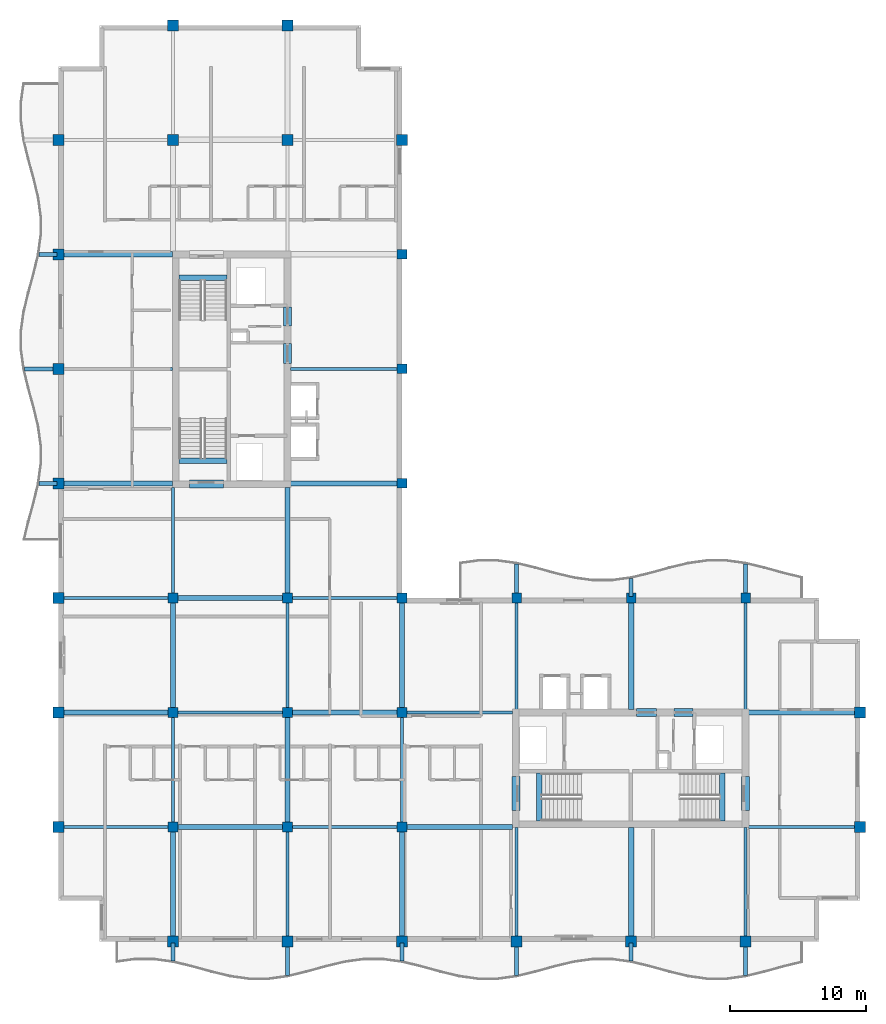
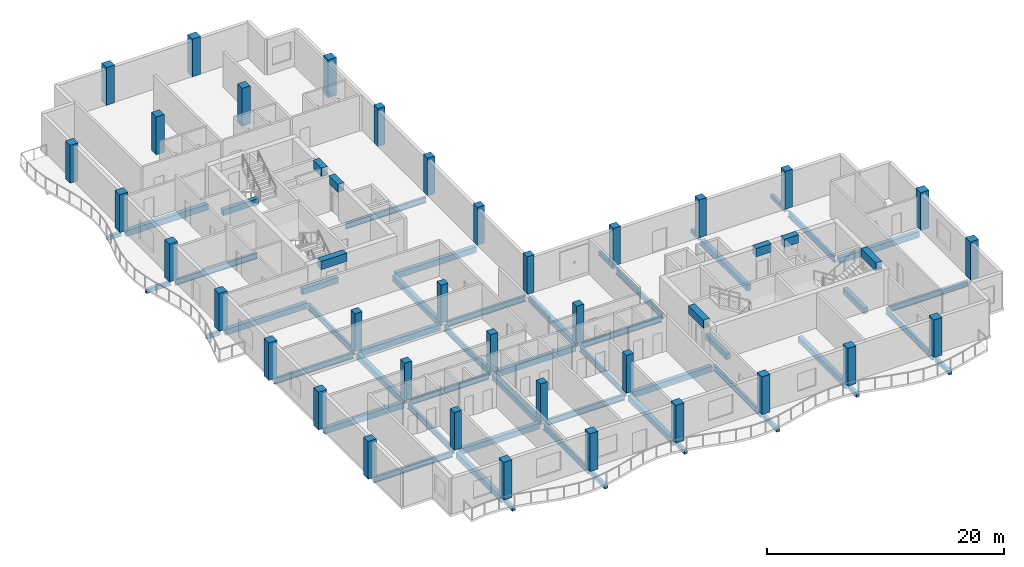
# One storey, part 1 of 12: 58 beams, 35 columns.
"""IFC4 building model written with IfcOpenShell, lengths in metres."""

from ifc_helpers import new_model, si_unit, direction, frame, origin, origin_2d, place, context, subcontext, project, spatial, rectangle, i_section, extrude, material, material_profile, profile_set, type_object, element, save


model = new_model("IFC4")

# Units and contexts
model_context = context("Model", 3, precision=1e-05, world=origin(), true_north=direction((0.0, 1.0)))
body_context = subcontext(model_context, "Body", "Model", "MODEL_VIEW")
ifc_project = project(units=[si_unit("LENGTHUNIT", "METRE"), si_unit("AREAUNIT", "SQUARE_METRE"), si_unit("VOLUMEUNIT", "CUBIC_METRE"), si_unit("PLANEANGLEUNIT", "RADIAN"), si_unit("MASSUNIT", "GRAM", prefix="KILO")], contexts=[model_context])

# Site, building, storey
site_placement = place(None, origin())
site = spatial("IfcSite", under=ifc_project, at=site_placement, CompositionType="ELEMENT")
building_placement = place(site_placement, origin())
building = spatial("IfcBuilding", under=site, at=building_placement, Name="Koriwani Terraces Tower", CompositionType="ELEMENT")
storey_placement = place(building_placement, frame((0.0, 0.0, 351.5)))
storey = spatial("IfcBuildingStorey", under=building, at=storey_placement, Name="L87", CompositionType="ELEMENT", Elevation=351.5)

# Columns
ifc_material_1 = material(Name="Concrete C50/60", Category="concrete")
ifc_material_profile_1 = material_profile(ifc_material_1, rectangle(XDim=0.699951171875, YDim=0.699951171875, at=origin_2d()), Name="Concrete C50/60", Category="LoadBearing")
ifc_profile_set_1 = profile_set([ifc_material_profile_1], Name="Concrete C50/60")
column_type_1 = type_object("IfcColumnType", Name="COL_RC_700X700", PredefinedType="COLUMN", material=ifc_profile_set_1)
for number, where, z_axis, x_axis, name in (
    (1, (16.800048828125, 16.800048828125, 0.0), (0.0, 0.0, 1.0), (1.0, 0.0, 0.0), "L87 Column 3/C"),
    (2, (16.800048828125, 25.199951171875, 0.0), (0.0, 0.0, 1.0), (1.0, 0.0, 0.0), "L87 Column 3/D"),
    (3, (16.800048828125, 33.60009765625, 0.0), (0.0, 0.0, 1.0), (1.0, 0.0, 0.0), "L87 Column 3/E"),
    (4, (25.199951171875, 16.800048828125, 0.0), (0.0, 0.0, 1.0), (1.0, 0.0, 0.0), "L87 Column 4/C"),
    (5, (25.199951171875, 25.199951171875, 0.0), (0.0, 0.0, 1.0), (1.0, 0.0, 0.0), "L87 Column 4/D"),
    (6, (25.199951171875, 33.60009765625, 0.0), (0.0, 0.0, 1.0), (1.0, 0.0, 0.0), "L87 Column 4/E"),
    (7, (33.60009765625, 16.800048828125, 0.0), (0.0, 0.0, 1.0), (1.0, 0.0, 0.0), "L87 Column 5/C"),
    (8, (33.60009765625, 25.199951171875, 0.0), (0.0, 0.0, 1.0), (1.0, 0.0, 0.0), "L87 Column 5/D"),
    (9, (33.60009765625, 33.60009765625, 0.0), (0.0, 0.0, 1.0), (1.0, 0.0, 0.0), "L87 Column 5/E"),
    (10, (33.60009765625, 42.0, 0.0), (0.0, 0.0, 1.0), (1.0, 0.0, 0.0), "L87 Column 5/F"),
    (11, (33.60009765625, 50.39990234375, 0.0), (0.0, 0.0, 1.0), (1.0, 0.0, 0.0), "L87 Column 5/G"),
    (12, (33.60009765625, 58.800048828125, 0.0), (0.0, 0.0, 1.0), (1.0, 0.0, 0.0), "L87 Column 5/H"),
    (13, (42.0, 33.60009765625, 0.0), (0.0, 0.0, 1.0), (1.0, 0.0, 0.0), "L87 Column 6/E"),
    (14, (50.39990234375, 33.60009765625, 0.0), (0.0, 0.0, 1.0), (1.0, 0.0, 0.0), "L87 Column 7/E"),
    (15, (58.800048828125, 33.60009765625, 0.0), (0.0, 0.0, 1.0), (1.0, 0.0, 0.0), "L87 Column 8/E"),
):
    element("IfcColumn", number, at=place(storey_placement, frame(where, z_axis=z_axis, x_axis=x_axis)), inside=storey, type_object=column_type_1, Name=name, PredefinedType="COLUMN", context=body_context, shape_type="SweptSolid", body=[
        extrude(rectangle(XDim=0.699951171875, YDim=0.699951171875, at=origin_2d()), origin(), (0.0, 0.0, 1.0), 3.89990234375),
    ])
ifc_material_profile_2 = material_profile(ifc_material_1, rectangle(XDim=0.800048828125, YDim=0.800048828125, at=origin_2d()), Name="Concrete C50/60", Category="LoadBearing")
ifc_profile_set_2 = profile_set([ifc_material_profile_2], Name="Concrete C50/60")
column_type_2 = type_object("IfcColumnType", Name="COL_RC_800X800", PredefinedType="COLUMN", material=ifc_profile_set_2)
for number, where, z_axis, x_axis, name in (
    (16, (8.39990234375, 16.800048828125, 0.0), (0.0, 0.0, 1.0), (1.0, 0.0, 0.0), "L87 Column 2/C"),
    (17, (8.39990234375, 25.199951171875, 0.0), (0.0, 0.0, 1.0), (1.0, 0.0, 0.0), "L87 Column 2/D"),
    (18, (8.39990234375, 33.60009765625, 0.0), (0.0, 0.0, 1.0), (1.0, 0.0, 0.0), "L87 Column 2/E"),
    (19, (8.39990234375, 42.0, 0.0), (0.0, 0.0, 1.0), (1.0, 0.0, 0.0), "L87 Column 2/F"),
    (20, (8.39990234375, 50.39990234375, 0.0), (0.0, 0.0, 1.0), (1.0, 0.0, 0.0), "L87 Column 2/G"),
    (21, (8.39990234375, 58.800048828125, 0.0), (0.0, 0.0, 1.0), (1.0, 0.0, 0.0), "L87 Column 2/H"),
    (22, (8.39990234375, 67.199951171875, 0.0), (0.0, 0.0, 1.0), (1.0, 0.0, 0.0), "L87 Column 2/I"),
    (23, (16.800048828125, 8.39990234375, 0.0), (0.0, 0.0, 1.0), (1.0, 0.0, 0.0), "L87 Column 3/B"),
    (24, (16.800048828125, 67.199951171875, 0.0), (0.0, 0.0, 1.0), (1.0, 0.0, 0.0), "L87 Column 3/I"),
    (25, (16.800048828125, 75.60009765625, 0.0), (0.0, 0.0, 1.0), (1.0, 0.0, 0.0), "L87 Column 3/J"),
    (26, (25.199951171875, 8.39990234375, 0.0), (0.0, 0.0, 1.0), (1.0, 0.0, 0.0), "L87 Column 4/B"),
    (27, (25.199951171875, 67.199951171875, 0.0), (0.0, 0.0, 1.0), (1.0, 0.0, 0.0), "L87 Column 4/I"),
    (28, (25.199951171875, 75.60009765625, 0.0), (0.0, 0.0, 1.0), (1.0, 0.0, 0.0), "L87 Column 4/J"),
    (29, (33.60009765625, 8.39990234375, 0.0), (0.0, 0.0, 1.0), (1.0, 0.0, 0.0), "L87 Column 5/B"),
    (30, (33.60009765625, 67.199951171875, 0.0), (0.0, 0.0, 1.0), (1.0, 0.0, 0.0), "L87 Column 5/I"),
    (31, (42.0, 8.39990234375, 0.0), (0.0, 0.0, 1.0), (1.0, 0.0, 0.0), "L87 Column 6/B"),
    (32, (50.39990234375, 8.39990234375, 0.0), (0.0, 0.0, 1.0), (1.0, 0.0, 0.0), "L87 Column 7/B"),
    (33, (58.800048828125, 8.39990234375, 0.0), (0.0, 0.0, 1.0), (1.0, 0.0, 0.0), "L87 Column 8/B"),
    (34, (67.199951171875, 16.800048828125, 0.0), (0.0, 0.0, 1.0), (1.0, 0.0, 0.0), "L87 Column 9/C"),
    (35, (67.199951171875, 25.199951171875, 0.0), (0.0, 0.0, 1.0), (1.0, 0.0, 0.0), "L87 Column 9/D"),
):
    element("IfcColumn", number, at=place(storey_placement, frame(where, z_axis=z_axis, x_axis=x_axis)), inside=storey, type_object=column_type_2, Name=name, PredefinedType="COLUMN", context=body_context, shape_type="SweptSolid", body=[
        extrude(rectangle(XDim=0.800048828125, YDim=0.800048828125, at=origin_2d()), origin(), (0.0, 0.0, 1.0), 3.89990234375),
    ])

# Beams
ifc_material_2 = material(Name="Concrete C40/50", Category="concrete")
ifc_material_profile_3 = material_profile(ifc_material_2, rectangle(XDim=0.300048828125, YDim=0.39990234375, at=origin_2d()), Name="Concrete C40/50", Category="LoadBearing")
ifc_profile_set_3 = profile_set([ifc_material_profile_3], Name="Concrete C40/50")
beam_type_1 = type_object("IfcBeamType", Name="BEAM_RC_BALCONY_RIB_300X400", PredefinedType="JOIST", material=ifc_profile_set_3)
beam_1_placement = place(storey_placement, frame((16.800048828125, 6.980224609375, -0.429931640625), z_axis=(0.0, 1.0, 0.0), x_axis=(-1.0, 0.0, 0.0)))
element("IfcBeam", 36, at=beam_1_placement, inside=storey, type_object=beam_type_1, Name="L87 Balcony Bracket Rib S-1", PredefinedType="JOIST", context=body_context, shape_type="SweptSolid", body=[
    extrude(rectangle(XDim=0.300048828125, YDim=0.39990234375, at=origin_2d()), origin(), (0.0, 0.0, 1.0), 1.31982421875),
])
beam_2_placement = place(storey_placement, frame((25.199951171875, 5.919677734375, -0.429931640625), z_axis=(0.0, 1.0, 0.0), x_axis=(-1.0, 0.0, 0.0)))
element("IfcBeam", 37, at=beam_2_placement, inside=storey, type_object=beam_type_1, Name="L87 Balcony Bracket Rib S-2", PredefinedType="JOIST", context=body_context, shape_type="SweptSolid", body=[
    extrude(rectangle(XDim=0.300048828125, YDim=0.39990234375, at=origin_2d()), origin(), (0.0, 0.0, 1.0), 2.38037109375),
])
beam_3_placement = place(storey_placement, frame((33.60009765625, 6.980224609375, -0.429931640625), z_axis=(0.0, 1.0, 0.0), x_axis=(-1.0, 0.0, 0.0)))
element("IfcBeam", 38, at=beam_3_placement, inside=storey, type_object=beam_type_1, Name="L87 Balcony Bracket Rib S-3", PredefinedType="JOIST", context=body_context, shape_type="SweptSolid", body=[
    extrude(rectangle(XDim=0.300048828125, YDim=0.39990234375, at=origin_2d()), origin(), (0.0, 0.0, 1.0), 1.31982421875),
])
beam_4_placement = place(storey_placement, frame((42.0, 5.919677734375, -0.429931640625), z_axis=(0.0, 1.0, 0.0), x_axis=(-1.0, 0.0, 0.0)))
element("IfcBeam", 39, at=beam_4_placement, inside=storey, type_object=beam_type_1, Name="L87 Balcony Bracket Rib S-4", PredefinedType="JOIST", context=body_context, shape_type="SweptSolid", body=[
    extrude(rectangle(XDim=0.300048828125, YDim=0.39990234375, at=origin_2d()), origin(), (0.0, 0.0, 1.0), 2.38037109375),
])
beam_5_placement = place(storey_placement, frame((50.39990234375, 6.980224609375, -0.429931640625), z_axis=(0.0, 1.0, 0.0), x_axis=(-1.0, 0.0, 0.0)))
element("IfcBeam", 40, at=beam_5_placement, inside=storey, type_object=beam_type_1, Name="L87 Balcony Bracket Rib S-5", PredefinedType="JOIST", context=body_context, shape_type="SweptSolid", body=[
    extrude(rectangle(XDim=0.300048828125, YDim=0.39990234375, at=origin_2d()), origin(), (0.0, 0.0, 1.0), 1.31982421875),
])
beam_6_placement = place(storey_placement, frame((58.800048828125, 5.919677734375, -0.429931640625), z_axis=(0.0, 1.0, 0.0), x_axis=(-1.0, 0.0, 0.0)))
element("IfcBeam", 41, at=beam_6_placement, inside=storey, type_object=beam_type_1, Name="L87 Balcony Bracket Rib S-6", PredefinedType="JOIST", context=body_context, shape_type="SweptSolid", body=[
    extrude(rectangle(XDim=0.300048828125, YDim=0.39990234375, at=origin_2d()), origin(), (0.0, 0.0, 1.0), 2.38037109375),
])
beam_7_placement = place(storey_placement, frame((6.980224609375, 42.0, -0.429931640625), z_axis=(1.0, 0.0, 0.0), x_axis=(0.0, 1.0, 0.0)))
element("IfcBeam", 42, at=beam_7_placement, inside=storey, type_object=beam_type_1, Name="L87 Balcony Bracket Rib W-1", PredefinedType="JOIST", context=body_context, shape_type="SweptSolid", body=[
    extrude(rectangle(XDim=0.300048828125, YDim=0.39990234375, at=origin_2d()), origin(), (0.0, 0.0, 1.0), 1.31982421875),
])
beam_8_placement = place(storey_placement, frame((5.919677734375, 50.39990234375, -0.429931640625), z_axis=(1.0, 0.0, 0.0), x_axis=(0.0, 1.0, 0.0)))
element("IfcBeam", 43, at=beam_8_placement, inside=storey, type_object=beam_type_1, Name="L87 Balcony Bracket Rib W-2", PredefinedType="JOIST", context=body_context, shape_type="SweptSolid", body=[
    extrude(rectangle(XDim=0.300048828125, YDim=0.39990234375, at=origin_2d()), origin(), (0.0, 0.0, 1.0), 2.38037109375),
])
beam_9_placement = place(storey_placement, frame((6.980224609375, 58.800048828125, -0.429931640625), z_axis=(1.0, 0.0, 0.0), x_axis=(0.0, 1.0, 0.0)))
element("IfcBeam", 44, at=beam_9_placement, inside=storey, type_object=beam_type_1, Name="L87 Balcony Bracket Rib W-3", PredefinedType="JOIST", context=body_context, shape_type="SweptSolid", body=[
    extrude(rectangle(XDim=0.300048828125, YDim=0.39990234375, at=origin_2d()), origin(), (0.0, 0.0, 1.0), 1.31982421875),
])
beam_10_placement = place(storey_placement, frame((42.0, 33.699951171875, -0.429931640625), z_axis=(0.0, 1.0, 0.0), x_axis=(-1.0, 0.0, 0.0)))
element("IfcBeam", 45, at=beam_10_placement, inside=storey, type_object=beam_type_1, Name="L87 Balcony Bracket Rib NE-1", PredefinedType="JOIST", context=body_context, shape_type="SweptSolid", body=[
    extrude(rectangle(XDim=0.300048828125, YDim=0.39990234375, at=origin_2d()), origin(), (0.0, 0.0, 1.0), 2.38037109375),
])
beam_11_placement = place(storey_placement, frame((50.39990234375, 33.699951171875, -0.429931640625), z_axis=(0.0, 1.0, 0.0), x_axis=(-1.0, 0.0, 0.0)))
element("IfcBeam", 46, at=beam_11_placement, inside=storey, type_object=beam_type_1, Name="L87 Balcony Bracket Rib NE-2", PredefinedType="JOIST", context=body_context, shape_type="SweptSolid", body=[
    extrude(rectangle(XDim=0.300048828125, YDim=0.39990234375, at=origin_2d()), origin(), (0.0, 0.0, 1.0), 1.31982421875),
])
beam_12_placement = place(storey_placement, frame((58.800048828125, 33.699951171875, -0.429931640625), z_axis=(0.0, 1.0, 0.0), x_axis=(-1.0, 0.0, 0.0)))
element("IfcBeam", 47, at=beam_12_placement, inside=storey, type_object=beam_type_1, Name="L87 Balcony Bracket Rib NE-3", PredefinedType="JOIST", context=body_context, shape_type="SweptSolid", body=[
    extrude(rectangle(XDim=0.300048828125, YDim=0.39990234375, at=origin_2d()), origin(), (0.0, 0.0, 1.0), 2.38037109375),
])
ifc_material_profile_4 = material_profile(ifc_material_1, rectangle(XDim=0.60009765625, YDim=0.85009765625, at=origin_2d()), Name="Concrete C50/60", Category="LoadBearing")
ifc_profile_set_4 = profile_set([ifc_material_profile_4], Name="Concrete C50/60")
beam_type_2 = type_object("IfcBeamType", Name="BEAM_RC_COUPLING_600X850", PredefinedType="LINTEL", material=ifc_profile_set_4)
beam_13_placement = place(storey_placement, frame((25.199951171875, 50.800048828125, 3.2451171875), z_axis=(0.0, 1.0, 0.0), x_axis=(-1.0, 0.0, 0.0)))
element("IfcBeam", 48, at=beam_13_placement, inside=storey, type_object=beam_type_2, Name="L87 Core Coupling Lintel Beam WE1", PredefinedType="LINTEL", context=body_context, shape_type="SweptSolid", body=[
    extrude(rectangle(XDim=0.60009765625, YDim=0.85009765625, at=origin_2d()), origin(), (0.0, 0.0, 1.0), 1.47998046875),
])
beam_14_placement = place(storey_placement, frame((25.199951171875, 53.550048828125, 3.2451171875), z_axis=(0.0, 1.0, 0.0), x_axis=(-1.0, 0.0, 0.0)))
element("IfcBeam", 49, at=beam_14_placement, inside=storey, type_object=beam_type_2, Name="L87 Core Coupling Lintel Beam WE2", PredefinedType="LINTEL", context=body_context, shape_type="SweptSolid", body=[
    extrude(rectangle(XDim=0.60009765625, YDim=0.85009765625, at=origin_2d()), origin(), (0.0, 0.0, 1.0), 1.39990234375),
])
beam_15_placement = place(storey_placement, frame((18.0, 41.949951171875, 3.2451171875), z_axis=(1.0, 0.0, 0.0), x_axis=(0.0, 1.0, 0.0)))
element("IfcBeam", 50, at=beam_15_placement, inside=storey, type_object=beam_type_2, Name="L87 Core Coupling Lintel Beam WS", PredefinedType="LINTEL", context=body_context, shape_type="SweptSolid", body=[
    extrude(rectangle(XDim=0.60009765625, YDim=0.85009765625, at=origin_2d()), origin(), (0.0, 0.0, 1.0), 2.5),
])
beam_16_placement = place(storey_placement, frame((50.800048828125, 25.199951171875, 3.2451171875), z_axis=(1.0, 0.0, 0.0), x_axis=(0.0, 1.0, 0.0)))
element("IfcBeam", 51, at=beam_16_placement, inside=storey, type_object=beam_type_2, Name="L87 Core Coupling Lintel Beam EN1", PredefinedType="LINTEL", context=body_context, shape_type="SweptSolid", body=[
    extrude(rectangle(XDim=0.60009765625, YDim=0.85009765625, at=origin_2d()), origin(), (0.0, 0.0, 1.0), 1.47998046875),
])
beam_17_placement = place(storey_placement, frame((53.550048828125, 25.199951171875, 3.2451171875), z_axis=(1.0, 0.0, 0.0), x_axis=(0.0, 1.0, 0.0)))
element("IfcBeam", 52, at=beam_17_placement, inside=storey, type_object=beam_type_2, Name="L87 Core Coupling Lintel Beam EN2", PredefinedType="LINTEL", context=body_context, shape_type="SweptSolid", body=[
    extrude(rectangle(XDim=0.60009765625, YDim=0.85009765625, at=origin_2d()), origin(), (0.0, 0.0, 1.0), 1.39990234375),
])
for number, where, z_axis, x_axis, name in (
    (53, (41.949951171875, 18.0, 3.2451171875), (0.0, 1.0, 0.0), (-1.0, 0.0, 0.0), "L87 Core Coupling Lintel Beam EW"),
    (54, (58.800048828125, 18.0, 3.2451171875), (0.0, 1.0, 0.0), (-1.0, 0.0, 0.0), "L87 Core Coupling Lintel Beam EE"),
):
    element("IfcBeam", number, at=place(storey_placement, frame(where, z_axis=z_axis, x_axis=x_axis)), inside=storey, type_object=beam_type_2, Name=name, PredefinedType="LINTEL", context=body_context, shape_type="SweptSolid", body=[
        extrude(rectangle(XDim=0.60009765625, YDim=0.85009765625, at=origin_2d()), origin(), (0.0, 0.0, 1.0), 2.5),
    ])
ifc_material_profile_5 = material_profile(ifc_material_2, rectangle(XDim=0.39990234375, YDim=0.60009765625, at=origin_2d()), Name="Concrete C40/50", Category="LoadBearing")
ifc_profile_set_5 = profile_set([ifc_material_profile_5], Name="Concrete C40/50")
beam_type_3 = type_object("IfcBeamType", Name="BEAM_RC_GRID_400X600", PredefinedType="BEAM", material=ifc_profile_set_5)
for number, where, z_axis, x_axis, name in (
    (55, (17.25, 43.655029296875, -0.300048828125), (1.0, 0.0, 0.0), (0.0, 1.0, 0.0), "L87 Stairwell Header Trimmer Beam ST-W1"),
    (56, (17.25, 57.094970703125, -0.300048828125), (1.0, 0.0, 0.0), (0.0, 1.0, 0.0), "L87 Stairwell Header Trimmer Beam ST-W2"),
    (57, (43.655029296875, 17.25, -0.300048828125), (0.0, 1.0, 0.0), (-1.0, 0.0, 0.0), "L87 Stairwell Header Trimmer Beam ST-E1"),
    (58, (57.094970703125, 17.25, -0.300048828125), (0.0, 1.0, 0.0), (-1.0, 0.0, 0.0), "L87 Stairwell Header Trimmer Beam ST-E2"),
):
    element("IfcBeam", number, at=place(storey_placement, frame(where, z_axis=z_axis, x_axis=x_axis)), inside=storey, type_object=beam_type_3, Name=name, PredefinedType="BEAM", context=body_context, shape_type="SweptSolid", body=[
        extrude(rectangle(XDim=0.39990234375, YDim=0.60009765625, at=origin_2d()), origin(), (0.0, 0.0, 1.0), 3.5),
    ])
beam_18_placement = place(storey_placement, frame((17.1298828125, 16.800048828125, -0.530029296875), z_axis=(1.0, 0.0, 0.0), x_axis=(0.0, 1.0, 0.0)))
element("IfcBeam", 59, at=beam_18_placement, inside=storey, type_object=beam_type_3, Name="L87 Grid Beam C (16.8-25.2m)", PredefinedType="BEAM", context=body_context, shape_type="SweptSolid", body=[
    extrude(rectangle(XDim=0.39990234375, YDim=0.60009765625, at=origin_2d()), origin(), (0.0, 0.0, 1.0), 7.740234375),
])
beam_19_placement = place(storey_placement, frame((33.929931640625, 16.800048828125, -0.530029296875), z_axis=(1.0, 0.0, 0.0), x_axis=(0.0, 1.0, 0.0)))
element("IfcBeam", 60, at=beam_19_placement, inside=storey, type_object=beam_type_3, Name="L87 Grid Beam C (33.6-42.0m)", PredefinedType="BEAM", context=body_context, shape_type="SweptSolid", body=[
    extrude(rectangle(XDim=0.39990234375, YDim=0.60009765625, at=origin_2d()), origin(), (0.0, 0.0, 1.0), 7.7900390625),
])
beam_20_placement = place(storey_placement, frame((8.780029296875, 25.199951171875, -0.530029296875), z_axis=(1.0, 0.0, 0.0), x_axis=(0.0, 1.0, 0.0)))
element("IfcBeam", 61, at=beam_20_placement, inside=storey, type_object=beam_type_3, Name="L87 Grid Beam D (8.4-16.8m)", PredefinedType="BEAM", context=body_context, shape_type="SweptSolid", body=[
    extrude(rectangle(XDim=0.39990234375, YDim=0.60009765625, at=origin_2d()), origin(), (0.0, 0.0, 1.0), 7.68994140625),
])
beam_21_placement = place(storey_placement, frame((25.530029296875, 25.199951171875, -0.530029296875), z_axis=(1.0, 0.0, 0.0), x_axis=(0.0, 1.0, 0.0)))
element("IfcBeam", 62, at=beam_21_placement, inside=storey, type_object=beam_type_3, Name="L87 Grid Beam D (25.2-33.6m)", PredefinedType="BEAM", context=body_context, shape_type="SweptSolid", body=[
    extrude(rectangle(XDim=0.39990234375, YDim=0.60009765625, at=origin_2d()), origin(), (0.0, 0.0, 1.0), 7.739990234375),
])
beam_22_placement = place(storey_placement, frame((59.030029296875, 25.199951171875, -0.530029296875), z_axis=(1.0, 0.0, 0.0), x_axis=(0.0, 1.0, 0.0)))
element("IfcBeam", 63, at=beam_22_placement, inside=storey, type_object=beam_type_3, Name="L87 Grid Beam D (58.8-67.2m)", PredefinedType="BEAM", context=body_context, shape_type="SweptSolid", body=[
    extrude(rectangle(XDim=0.39990234375, YDim=0.60009765625, at=origin_2d()), origin(), (0.0, 0.0, 1.0), 7.7900390625),
])
beam_23_placement = place(storey_placement, frame((17.1298828125, 33.60009765625, -0.530029296875), z_axis=(1.0, 0.0, 0.0), x_axis=(0.0, 1.0, 0.0)))
element("IfcBeam", 64, at=beam_23_placement, inside=storey, type_object=beam_type_3, Name="L87 Grid Beam E (16.8-25.2m)", PredefinedType="BEAM", context=body_context, shape_type="SweptSolid", body=[
    extrude(rectangle(XDim=0.39990234375, YDim=0.60009765625, at=origin_2d()), origin(), (0.0, 0.0, 1.0), 7.740234375),
])
beam_24_placement = place(storey_placement, frame((8.780029296875, 42.0, -0.530029296875), z_axis=(1.0, 0.0, 0.0), x_axis=(0.0, 1.0, 0.0)))
element("IfcBeam", 65, at=beam_24_placement, inside=storey, type_object=beam_type_3, Name="L87 Grid Beam F (8.4-16.8m)", PredefinedType="BEAM", context=body_context, shape_type="SweptSolid", body=[
    extrude(rectangle(XDim=0.39990234375, YDim=0.60009765625, at=origin_2d()), origin(), (0.0, 0.0, 1.0), 7.989990234375),
])
beam_25_placement = place(storey_placement, frame((25.429931640625, 42.0, -0.530029296875), z_axis=(1.0, 0.0, 0.0), x_axis=(0.0, 1.0, 0.0)))
element("IfcBeam", 66, at=beam_25_placement, inside=storey, type_object=beam_type_3, Name="L87 Grid Beam F (25.2-33.6m)", PredefinedType="BEAM", context=body_context, shape_type="SweptSolid", body=[
    extrude(rectangle(XDim=0.39990234375, YDim=0.60009765625, at=origin_2d()), origin(), (0.0, 0.0, 1.0), 7.840087890625),
])
beam_26_placement = place(storey_placement, frame((8.780029296875, 58.800048828125, -0.530029296875), z_axis=(1.0, 0.0, 0.0), x_axis=(0.0, 1.0, 0.0)))
element("IfcBeam", 67, at=beam_26_placement, inside=storey, type_object=beam_type_3, Name="L87 Grid Beam H (8.4-16.8m)", PredefinedType="BEAM", context=body_context, shape_type="SweptSolid", body=[
    extrude(rectangle(XDim=0.39990234375, YDim=0.60009765625, at=origin_2d()), origin(), (0.0, 0.0, 1.0), 7.989990234375),
])
beam_27_placement = place(storey_placement, frame((16.800048828125, 8.780029296875, -0.530029296875), z_axis=(0.0, 1.0, 0.0), x_axis=(-1.0, 0.0, 0.0)))
element("IfcBeam", 68, at=beam_27_placement, inside=storey, type_object=beam_type_3, Name="L87 Grid Beam 3 (8.4-16.8m)", PredefinedType="BEAM", context=body_context, shape_type="SweptSolid", body=[
    extrude(rectangle(XDim=0.39990234375, YDim=0.60009765625, at=origin_2d()), origin(), (0.0, 0.0, 1.0), 7.68994140625),
])
beam_28_placement = place(storey_placement, frame((16.800048828125, 25.530029296875, -0.530029296875), z_axis=(0.0, 1.0, 0.0), x_axis=(-1.0, 0.0, 0.0)))
element("IfcBeam", 69, at=beam_28_placement, inside=storey, type_object=beam_type_3, Name="L87 Grid Beam 3 (25.2-33.6m)", PredefinedType="BEAM", context=body_context, shape_type="SweptSolid", body=[
    extrude(rectangle(XDim=0.39990234375, YDim=0.60009765625, at=origin_2d()), origin(), (0.0, 0.0, 1.0), 7.739990234375),
])
beam_29_placement = place(storey_placement, frame((25.199951171875, 17.1298828125, -0.530029296875), z_axis=(0.0, 1.0, 0.0), x_axis=(-1.0, 0.0, 0.0)))
element("IfcBeam", 70, at=beam_29_placement, inside=storey, type_object=beam_type_3, Name="L87 Grid Beam 4 (16.8-25.2m)", PredefinedType="BEAM", context=body_context, shape_type="SweptSolid", body=[
    extrude(rectangle(XDim=0.39990234375, YDim=0.60009765625, at=origin_2d()), origin(), (0.0, 0.0, 1.0), 7.740234375),
])
beam_30_placement = place(storey_placement, frame((25.199951171875, 33.929931640625, -0.530029296875), z_axis=(0.0, 1.0, 0.0), x_axis=(-1.0, 0.0, 0.0)))
element("IfcBeam", 71, at=beam_30_placement, inside=storey, type_object=beam_type_3, Name="L87 Grid Beam 4 (33.6-42.0m)", PredefinedType="BEAM", context=body_context, shape_type="SweptSolid", body=[
    extrude(rectangle(XDim=0.39990234375, YDim=0.60009765625, at=origin_2d()), origin(), (0.0, 0.0, 1.0), 7.7900390625),
])
beam_31_placement = place(storey_placement, frame((33.60009765625, 8.780029296875, -0.530029296875), z_axis=(0.0, 1.0, 0.0), x_axis=(-1.0, 0.0, 0.0)))
element("IfcBeam", 72, at=beam_31_placement, inside=storey, type_object=beam_type_3, Name="L87 Grid Beam 5 (8.4-16.8m)", PredefinedType="BEAM", context=body_context, shape_type="SweptSolid", body=[
    extrude(rectangle(XDim=0.39990234375, YDim=0.60009765625, at=origin_2d()), origin(), (0.0, 0.0, 1.0), 7.68994140625),
])
beam_32_placement = place(storey_placement, frame((33.60009765625, 25.530029296875, -0.530029296875), z_axis=(0.0, 1.0, 0.0), x_axis=(-1.0, 0.0, 0.0)))
element("IfcBeam", 73, at=beam_32_placement, inside=storey, type_object=beam_type_3, Name="L87 Grid Beam 5 (25.2-33.6m)", PredefinedType="BEAM", context=body_context, shape_type="SweptSolid", body=[
    extrude(rectangle(XDim=0.39990234375, YDim=0.60009765625, at=origin_2d()), origin(), (0.0, 0.0, 1.0), 7.739990234375),
])
beam_33_placement = place(storey_placement, frame((50.39990234375, 8.780029296875, -0.530029296875), z_axis=(0.0, 1.0, 0.0), x_axis=(-1.0, 0.0, 0.0)))
element("IfcBeam", 74, at=beam_33_placement, inside=storey, type_object=beam_type_3, Name="L87 Grid Beam 7 (8.4-16.8m)", PredefinedType="BEAM", context=body_context, shape_type="SweptSolid", body=[
    extrude(rectangle(XDim=0.39990234375, YDim=0.60009765625, at=origin_2d()), origin(), (0.0, 0.0, 1.0), 7.989990234375),
])
beam_34_placement = place(storey_placement, frame((50.39990234375, 25.429931640625, -0.530029296875), z_axis=(0.0, 1.0, 0.0), x_axis=(-1.0, 0.0, 0.0)))
element("IfcBeam", 75, at=beam_34_placement, inside=storey, type_object=beam_type_3, Name="L87 Grid Beam 7 (25.2-33.6m)", PredefinedType="BEAM", context=body_context, shape_type="SweptSolid", body=[
    extrude(rectangle(XDim=0.39990234375, YDim=0.60009765625, at=origin_2d()), origin(), (0.0, 0.0, 1.0), 7.840087890625),
])
ifc_material_3 = material(Name="Steel ASTM A572 Grade 50", Category="steel")
ifc_material_profile_6 = material_profile(ifc_material_3, i_section(OverallWidth=0.22900390625, OverallDepth=0.611083984375, WebThickness=0.0126953125, FlangeThickness=0.022216796875, at=origin_2d()), Name="Steel ASTM A572 Grade 50", Category="LoadBearing")
ifc_profile_set_6 = profile_set([ifc_material_profile_6], Name="Steel ASTM A572 Grade 50")
beam_type_4 = type_object("IfcBeamType", Name="STEEL_BEAM_W610X155", PredefinedType="BEAM", material=ifc_profile_set_6)
beam_35_placement = place(storey_placement, frame((8.780029296875, 16.800048828125, -0.535400390625), z_axis=(1.0, 0.0, 0.0), x_axis=(0.0, 1.0, 0.0)))
element("IfcBeam", 76, at=beam_35_placement, inside=storey, type_object=beam_type_4, Name="L87 Grid Beam C (8.4-16.8m)", PredefinedType="BEAM", context=body_context, shape_type="SweptSolid", body=[
    extrude(i_section(OverallWidth=0.22900390625, OverallDepth=0.611083984375, WebThickness=0.0126953125, FlangeThickness=0.022216796875, at=origin_2d()), origin(), (0.0, 0.0, 1.0), 7.68994140625),
])
beam_36_placement = place(storey_placement, frame((25.530029296875, 16.800048828125, -0.535400390625), z_axis=(1.0, 0.0, 0.0), x_axis=(0.0, 1.0, 0.0)))
element("IfcBeam", 77, at=beam_36_placement, inside=storey, type_object=beam_type_4, Name="L87 Grid Beam C (25.2-33.6m)", PredefinedType="BEAM", context=body_context, shape_type="SweptSolid", body=[
    extrude(i_section(OverallWidth=0.22900390625, OverallDepth=0.611083984375, WebThickness=0.0126953125, FlangeThickness=0.022216796875, at=origin_2d()), origin(), (0.0, 0.0, 1.0), 7.739990234375),
])
beam_37_placement = place(storey_placement, frame((59.030029296875, 16.800048828125, -0.535400390625), z_axis=(1.0, 0.0, 0.0), x_axis=(0.0, 1.0, 0.0)))
element("IfcBeam", 78, at=beam_37_placement, inside=storey, type_object=beam_type_4, Name="L87 Grid Beam C (58.8-67.2m)", PredefinedType="BEAM", context=body_context, shape_type="SweptSolid", body=[
    extrude(i_section(OverallWidth=0.22900390625, OverallDepth=0.611083984375, WebThickness=0.0126953125, FlangeThickness=0.022216796875, at=origin_2d()), origin(), (0.0, 0.0, 1.0), 7.7900390625),
])
beam_38_placement = place(storey_placement, frame((17.1298828125, 25.199951171875, -0.535400390625), z_axis=(1.0, 0.0, 0.0), x_axis=(0.0, 1.0, 0.0)))
element("IfcBeam", 79, at=beam_38_placement, inside=storey, type_object=beam_type_4, Name="L87 Grid Beam D (16.8-25.2m)", PredefinedType="BEAM", context=body_context, shape_type="SweptSolid", body=[
    extrude(i_section(OverallWidth=0.22900390625, OverallDepth=0.611083984375, WebThickness=0.0126953125, FlangeThickness=0.022216796875, at=origin_2d()), origin(), (0.0, 0.0, 1.0), 7.740234375),
])
beam_39_placement = place(storey_placement, frame((33.929931640625, 25.199951171875, -0.535400390625), z_axis=(1.0, 0.0, 0.0), x_axis=(0.0, 1.0, 0.0)))
element("IfcBeam", 80, at=beam_39_placement, inside=storey, type_object=beam_type_4, Name="L87 Grid Beam D (33.6-42.0m)", PredefinedType="BEAM", context=body_context, shape_type="SweptSolid", body=[
    extrude(i_section(OverallWidth=0.22900390625, OverallDepth=0.611083984375, WebThickness=0.0126953125, FlangeThickness=0.022216796875, at=origin_2d()), origin(), (0.0, 0.0, 1.0), 7.7900390625),
])
beam_40_placement = place(storey_placement, frame((8.780029296875, 33.60009765625, -0.535400390625), z_axis=(1.0, 0.0, 0.0), x_axis=(0.0, 1.0, 0.0)))
element("IfcBeam", 81, at=beam_40_placement, inside=storey, type_object=beam_type_4, Name="L87 Grid Beam E (8.4-16.8m)", PredefinedType="BEAM", context=body_context, shape_type="SweptSolid", body=[
    extrude(i_section(OverallWidth=0.22900390625, OverallDepth=0.611083984375, WebThickness=0.0126953125, FlangeThickness=0.022216796875, at=origin_2d()), origin(), (0.0, 0.0, 1.0), 7.68994140625),
])
beam_41_placement = place(storey_placement, frame((25.530029296875, 33.60009765625, -0.535400390625), z_axis=(1.0, 0.0, 0.0), x_axis=(0.0, 1.0, 0.0)))
element("IfcBeam", 82, at=beam_41_placement, inside=storey, type_object=beam_type_4, Name="L87 Grid Beam E (25.2-33.6m)", PredefinedType="BEAM", context=body_context, shape_type="SweptSolid", body=[
    extrude(i_section(OverallWidth=0.22900390625, OverallDepth=0.611083984375, WebThickness=0.0126953125, FlangeThickness=0.022216796875, at=origin_2d()), origin(), (0.0, 0.0, 1.0), 7.739990234375),
])
beam_42_placement = place(storey_placement, frame((8.780029296875, 50.39990234375, -0.535400390625), z_axis=(1.0, 0.0, 0.0), x_axis=(0.0, 1.0, 0.0)))
element("IfcBeam", 83, at=beam_42_placement, inside=storey, type_object=beam_type_4, Name="L87 Grid Beam G (8.4-16.8m)", PredefinedType="BEAM", context=body_context, shape_type="SweptSolid", body=[
    extrude(i_section(OverallWidth=0.22900390625, OverallDepth=0.611083984375, WebThickness=0.0126953125, FlangeThickness=0.022216796875, at=origin_2d()), origin(), (0.0, 0.0, 1.0), 7.989990234375),
])
beam_43_placement = place(storey_placement, frame((25.429931640625, 50.39990234375, -0.535400390625), z_axis=(1.0, 0.0, 0.0), x_axis=(0.0, 1.0, 0.0)))
element("IfcBeam", 84, at=beam_43_placement, inside=storey, type_object=beam_type_4, Name="L87 Grid Beam G (25.2-33.6m)", PredefinedType="BEAM", context=body_context, shape_type="SweptSolid", body=[
    extrude(i_section(OverallWidth=0.22900390625, OverallDepth=0.611083984375, WebThickness=0.0126953125, FlangeThickness=0.022216796875, at=origin_2d()), origin(), (0.0, 0.0, 1.0), 7.840087890625),
])
beam_44_placement = place(storey_placement, frame((16.800048828125, 17.1298828125, -0.535400390625), z_axis=(0.0, 1.0, 0.0), x_axis=(-1.0, 0.0, 0.0)))
element("IfcBeam", 85, at=beam_44_placement, inside=storey, type_object=beam_type_4, Name="L87 Grid Beam 3 (16.8-25.2m)", PredefinedType="BEAM", context=body_context, shape_type="SweptSolid", body=[
    extrude(i_section(OverallWidth=0.22900390625, OverallDepth=0.611083984375, WebThickness=0.0126953125, FlangeThickness=0.022216796875, at=origin_2d()), origin(), (0.0, 0.0, 1.0), 7.740234375),
])
beam_45_placement = place(storey_placement, frame((16.800048828125, 33.929931640625, -0.535400390625), z_axis=(0.0, 1.0, 0.0), x_axis=(-1.0, 0.0, 0.0)))
element("IfcBeam", 86, at=beam_45_placement, inside=storey, type_object=beam_type_4, Name="L87 Grid Beam 3 (33.6-42.0m)", PredefinedType="BEAM", context=body_context, shape_type="SweptSolid", body=[
    extrude(i_section(OverallWidth=0.22900390625, OverallDepth=0.611083984375, WebThickness=0.0126953125, FlangeThickness=0.022216796875, at=origin_2d()), origin(), (0.0, 0.0, 1.0), 7.7900390625),
])
beam_46_placement = place(storey_placement, frame((25.199951171875, 8.780029296875, -0.535400390625), z_axis=(0.0, 1.0, 0.0), x_axis=(-1.0, 0.0, 0.0)))
element("IfcBeam", 87, at=beam_46_placement, inside=storey, type_object=beam_type_4, Name="L87 Grid Beam 4 (8.4-16.8m)", PredefinedType="BEAM", context=body_context, shape_type="SweptSolid", body=[
    extrude(i_section(OverallWidth=0.22900390625, OverallDepth=0.611083984375, WebThickness=0.0126953125, FlangeThickness=0.022216796875, at=origin_2d()), origin(), (0.0, 0.0, 1.0), 7.68994140625),
])
beam_47_placement = place(storey_placement, frame((25.199951171875, 25.530029296875, -0.535400390625), z_axis=(0.0, 1.0, 0.0), x_axis=(-1.0, 0.0, 0.0)))
element("IfcBeam", 88, at=beam_47_placement, inside=storey, type_object=beam_type_4, Name="L87 Grid Beam 4 (25.2-33.6m)", PredefinedType="BEAM", context=body_context, shape_type="SweptSolid", body=[
    extrude(i_section(OverallWidth=0.22900390625, OverallDepth=0.611083984375, WebThickness=0.0126953125, FlangeThickness=0.022216796875, at=origin_2d()), origin(), (0.0, 0.0, 1.0), 7.739990234375),
])
beam_48_placement = place(storey_placement, frame((33.60009765625, 17.1298828125, -0.535400390625), z_axis=(0.0, 1.0, 0.0), x_axis=(-1.0, 0.0, 0.0)))
element("IfcBeam", 89, at=beam_48_placement, inside=storey, type_object=beam_type_4, Name="L87 Grid Beam 5 (16.8-25.2m)", PredefinedType="BEAM", context=body_context, shape_type="SweptSolid", body=[
    extrude(i_section(OverallWidth=0.22900390625, OverallDepth=0.611083984375, WebThickness=0.0126953125, FlangeThickness=0.022216796875, at=origin_2d()), origin(), (0.0, 0.0, 1.0), 7.740234375),
])
beam_49_placement = place(storey_placement, frame((42.0, 8.780029296875, -0.535400390625), z_axis=(0.0, 1.0, 0.0), x_axis=(-1.0, 0.0, 0.0)))
element("IfcBeam", 90, at=beam_49_placement, inside=storey, type_object=beam_type_4, Name="L87 Grid Beam 6 (8.4-16.8m)", PredefinedType="BEAM", context=body_context, shape_type="SweptSolid", body=[
    extrude(i_section(OverallWidth=0.22900390625, OverallDepth=0.611083984375, WebThickness=0.0126953125, FlangeThickness=0.022216796875, at=origin_2d()), origin(), (0.0, 0.0, 1.0), 7.989990234375),
])
beam_50_placement = place(storey_placement, frame((42.0, 25.429931640625, -0.535400390625), z_axis=(0.0, 1.0, 0.0), x_axis=(-1.0, 0.0, 0.0)))
element("IfcBeam", 91, at=beam_50_placement, inside=storey, type_object=beam_type_4, Name="L87 Grid Beam 6 (25.2-33.6m)", PredefinedType="BEAM", context=body_context, shape_type="SweptSolid", body=[
    extrude(i_section(OverallWidth=0.22900390625, OverallDepth=0.611083984375, WebThickness=0.0126953125, FlangeThickness=0.022216796875, at=origin_2d()), origin(), (0.0, 0.0, 1.0), 7.840087890625),
])
beam_51_placement = place(storey_placement, frame((58.800048828125, 8.780029296875, -0.535400390625), z_axis=(0.0, 1.0, 0.0), x_axis=(-1.0, 0.0, 0.0)))
element("IfcBeam", 92, at=beam_51_placement, inside=storey, type_object=beam_type_4, Name="L87 Grid Beam 8 (8.4-16.8m)", PredefinedType="BEAM", context=body_context, shape_type="SweptSolid", body=[
    extrude(i_section(OverallWidth=0.22900390625, OverallDepth=0.611083984375, WebThickness=0.0126953125, FlangeThickness=0.022216796875, at=origin_2d()), origin(), (0.0, 0.0, 1.0), 7.989990234375),
])
beam_52_placement = place(storey_placement, frame((58.800048828125, 25.429931640625, -0.535400390625), z_axis=(0.0, 1.0, 0.0), x_axis=(-1.0, 0.0, 0.0)))
element("IfcBeam", 93, at=beam_52_placement, inside=storey, type_object=beam_type_4, Name="L87 Grid Beam 8 (25.2-33.6m)", PredefinedType="BEAM", context=body_context, shape_type="SweptSolid", body=[
    extrude(i_section(OverallWidth=0.22900390625, OverallDepth=0.611083984375, WebThickness=0.0126953125, FlangeThickness=0.022216796875, at=origin_2d()), origin(), (0.0, 0.0, 1.0), 7.840087890625),
])

save(model, "model.ifc")
